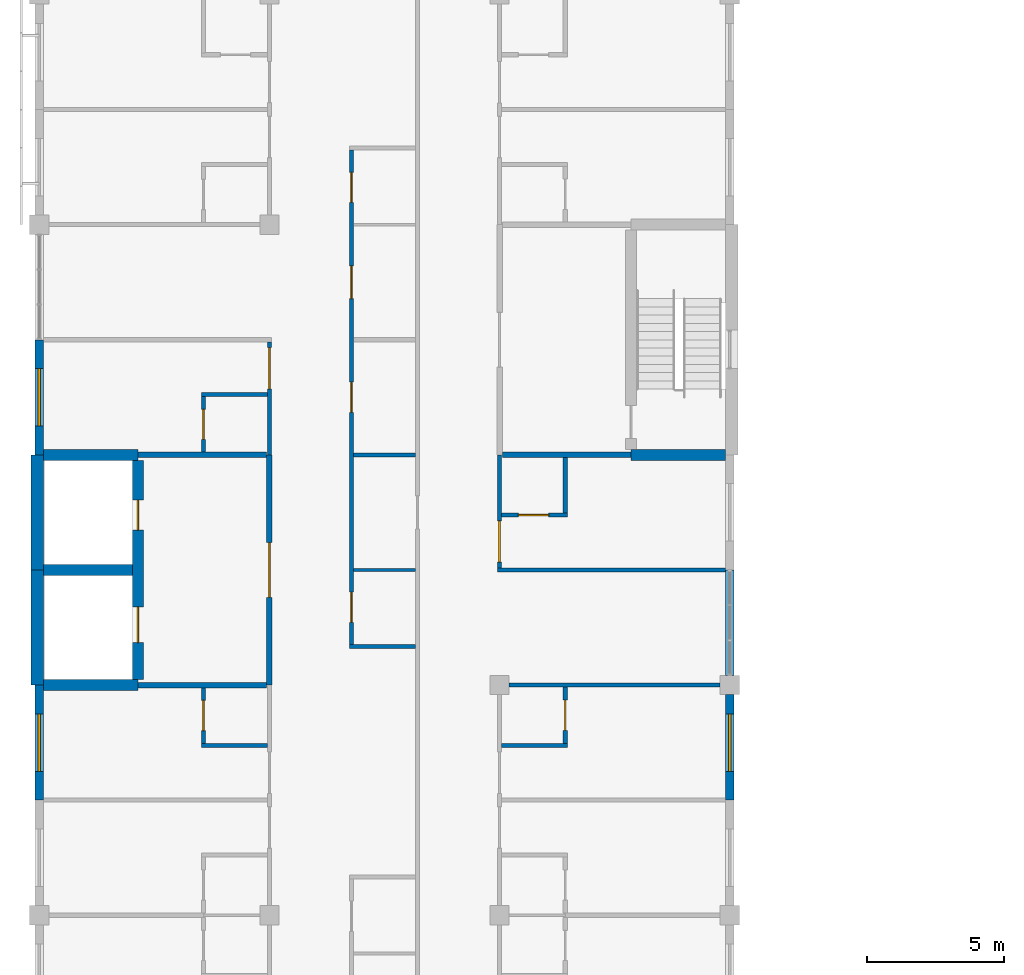
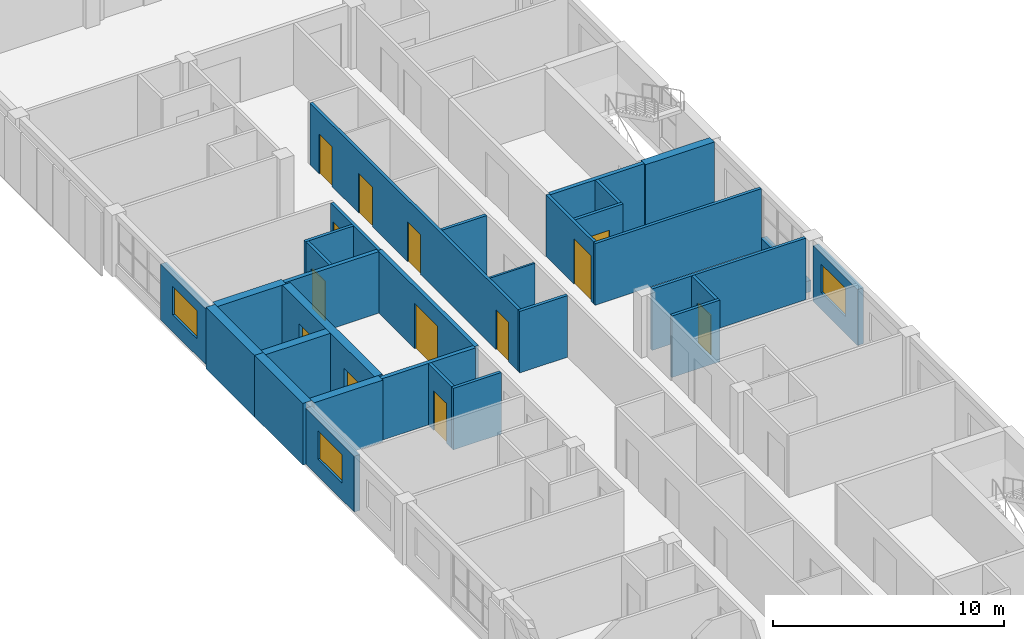
# One storey, part 32 of 46: 31 walls, 13 doors, 3 windows, 16 openings.
"""IFC4 building model written with IfcOpenShell, lengths in metres."""

from ifc_helpers import new_model, si_unit, direction, frame, frame_2d, origin, place, context, subcontext, project, spatial, rectangle, extrude, material, layer, layer_set, type_object, element, fill, save


model = new_model("IFC4")

# Units and contexts
model_context = context("Model", 3, precision=1e-05, world=origin(), true_north=direction((0.0, 1.0)))
body_context = subcontext(model_context, "Body", "Model", "MODEL_VIEW")
ifc_project = project(units=[si_unit("LENGTHUNIT", "METRE"), si_unit("AREAUNIT", "SQUARE_METRE"), si_unit("VOLUMEUNIT", "CUBIC_METRE"), si_unit("PLANEANGLEUNIT", "RADIAN"), si_unit("MASSUNIT", "GRAM", prefix="KILO")], contexts=[model_context])

# Site, building, storey
site_placement = place(None, origin())
site = spatial("IfcSite", under=ifc_project, at=site_placement, CompositionType="ELEMENT")
building_placement = place(site_placement, origin())
building = spatial("IfcBuilding", under=site, at=building_placement, Name="Yavir Park General Hospital", CompositionType="ELEMENT")
storey_placement = place(building_placement, frame((0.0, 0.0, 18.89990234375)))
storey = spatial("IfcBuildingStorey", under=building, at=storey_placement, Name="L04", CompositionType="ELEMENT", Elevation=18.89990234375)

# Walls
ifc_material_1 = material(Name="Double gypsum board fire partition on steel studs", Category="steel")
ifc_layer_1 = layer(ifc_material_1, 0.199951171875)
ifc_layer_set_1 = layer_set([ifc_layer_1], Name="Double gypsum board fire partition on steel studs")
wall_type_1 = type_object("IfcWallType", Name="Fire-rated partition 200, EI 60", PredefinedType="PARTITIONING", material=ifc_layer_set_1)
for number, where, z_axis, x_axis, name in (
    (1, (3.60009765625, 67.199951171875, 0.0), (0.0, 0.0, 1.0), (1.0, 0.0, 0.0), "FP20 L04-096"),
    (2, (3.60009765625, 75.60009765625, 0.0), (0.0, 0.0, 1.0), (1.0, 0.0, 0.0), "FP20 L04-104"),
):
    element("IfcWall", number, at=place(storey_placement, frame(where, z_axis=z_axis, x_axis=x_axis)), inside=storey, type_object=wall_type_1, Name=name, PredefinedType="PARTITIONING", context=body_context, shape_type="SweptSolid", body=[
        extrude(rectangle(XDim=4.699951171875, YDim=0.199951171875, at=frame_2d((2.35009765625, 0.0))), origin(), (0.0, 0.0, 1.0), 3.260009765625),
    ])
wall_1_placement = place(storey_placement, frame((16.89990234375, 75.60009765625, 0.0), z_axis=(0.0, 0.0, 1.0), x_axis=(1.0, 0.0, 0.0)))
element("IfcWall", 3, at=wall_1_placement, inside=storey, type_object=wall_type_1, Name="FP20 L04-106", PredefinedType="PARTITIONING", context=body_context, shape_type="SweptSolid", body=[
    extrude(rectangle(XDim=4.7001953125, YDim=0.199951171875, at=frame_2d((2.35009765625, 0.0))), origin(), (0.0, 0.0, 1.0), 3.260009765625),
])

# Wall, opening, door
wall_2_placement = place(storey_placement, frame((8.39990234375, 67.199951171875, 0.0), z_axis=(0.0, 0.0, 1.0), x_axis=(0.0, 1.0, 0.0)))
wall_2 = element("IfcWall", 4, at=wall_2_placement, inside=storey, type_object=wall_type_1, Name="FP20 L04-170", PredefinedType="PARTITIONING", context=body_context, shape_type="SweptSolid", body=[
    extrude(rectangle(XDim=8.400146484375, YDim=0.199951171875, at=frame_2d((4.2001953125, 0.0))), origin(), (0.0, 0.0, 1.0), 3.260009765625),
])
opening_1_placement = place(wall_2_placement, frame((3.199951171875, 0.0, 0.0)))
opening_1 = element("IfcOpeningElement", 5, at=opening_1_placement, cuts=wall_2, Name="Opening L04.D096", PredefinedType="OPENING", context=body_context, shape_type="SweptSolid", body=[
    extrude(rectangle(XDim=2.0, YDim=2.39990234375, at=frame_2d((1.0, 1.199951171875))), frame((0.0, 0.10986328125, 0.0), z_axis=(0.0, -1.0, 0.0), x_axis=(1.0, 0.0, 0.0)), (0.0, 0.0, 1.0), 0.219970703125),
])
ifc_material_2 = material(Name="Steel frame, fire-resisting leaves with vision panels", Category="steel")
door_type_1 = type_object("IfcDoorType", Name="Double fire door with vision panels 2000 x 2400, EI 60", OperationType="DOUBLE_DOOR_SINGLE_SWING", PredefinedType="DOOR", material=ifc_material_2)
door_1_placement = place(opening_1_placement, origin())
door_1 = element("IfcDoor", 6, at=door_1_placement, inside=storey, type_object=door_type_1, Name="L04.D096", OperationType="SINGLE_SWING_RIGHT", OverallHeight=2.39990234375, OverallWidth=2.0, PredefinedType="DOOR", context=body_context, shape_type="SweptSolid", body=[
    extrude(rectangle(XDim=2.0, YDim=2.39990234375, at=frame_2d((1.0, 1.199951171875))), frame((0.0, 0.030029296875, 0.0), z_axis=(0.0, -1.0, 0.0), x_axis=(1.0, 0.0, 0.0)), (0.0, 0.0, 1.0), 0.06005859375),
])
fill(opening_1, door_1)

# Walls
ifc_material_3 = material(Name="Gypsum board partition on steel studs", Category="steel")
ifc_layer_2 = layer(ifc_material_3, 0.10009765625)
ifc_layer_set_2 = layer_set([ifc_layer_2], Name="Gypsum board partition on steel studs")
wall_type_2 = type_object("IfcWallType", Name="Gypsum board partition 100", PredefinedType="PARTITIONING", material=ifc_layer_set_2)
wall_3_placement = place(storey_placement, frame((11.47509765625, 71.39990234375, 0.0), z_axis=(0.0, 0.0, 1.0), x_axis=(1.0, 0.0, 0.0)))
element("IfcWall", 7, at=wall_3_placement, inside=storey, type_object=wall_type_2, Name="P10 L04-100", PredefinedType="PARTITIONING", context=body_context, shape_type="SweptSolid", body=[
    extrude(rectangle(XDim=2.25, YDim=0.10009765625, at=frame_2d((1.125, 0.0))), origin(), (0.0, 0.0, 1.0), 3.260009765625),
])
ifc_material_4 = material(Name="Gypsum board partition on steel studs", Category="steel")
ifc_layer_3 = layer(ifc_material_4, 0.14990234375)
ifc_layer_set_3 = layer_set([ifc_layer_3], Name="Gypsum board partition on steel studs")
wall_type_3 = type_object("IfcWallType", Name="Gypsum board partition 150", PredefinedType="PARTITIONING", material=ifc_layer_set_3)
for number, where, z_axis, x_axis, name in (
    (8, (5.925048828125, 65.0, 0.0), (0.0, 0.0, 1.0), (1.0, 0.0, 0.0), "P15 L04-093"),
    (9, (16.875, 65.0, 0.0), (0.0, 0.0, 1.0), (1.0, 0.0, 0.0), "P15 L04-094"),
):
    element("IfcWall", number, at=place(storey_placement, frame(where, z_axis=z_axis, x_axis=x_axis)), inside=storey, type_object=wall_type_3, Name=name, PredefinedType="PARTITIONING", context=body_context, shape_type="SweptSolid", body=[
        extrude(rectangle(XDim=2.39990234375, YDim=0.14990234375, at=frame_2d((1.199951171875, 0.0))), origin(), (0.0, 0.0, 1.0), 3.260009765625),
    ])
wall_4_placement = place(storey_placement, frame((17.14990234375, 67.199951171875, 0.0), z_axis=(0.0, 0.0, 1.0), x_axis=(1.0, 0.0, 0.0)))
element("IfcWall", 10, at=wall_4_placement, inside=storey, type_object=wall_type_3, Name="P15 L04-097", PredefinedType="PARTITIONING", context=body_context, shape_type="SweptSolid", body=[
    extrude(rectangle(XDim=7.7001953125, YDim=0.14990234375, at=frame_2d((3.85009765625, 0.0))), origin(), (0.0, 0.0, 1.0), 3.260009765625),
])
wall_5_placement = place(storey_placement, frame((11.324951171875, 68.60009765625, 0.0), z_axis=(0.0, 0.0, 1.0), x_axis=(1.0, 0.0, 0.0)))
element("IfcWall", 11, at=wall_5_placement, inside=storey, type_object=wall_type_3, Name="P15 L04-098", PredefinedType="PARTITIONING", context=body_context, shape_type="SweptSolid", body=[
    extrude(rectangle(XDim=2.400146484375, YDim=0.14990234375, at=frame_2d((1.2001953125, 0.0))), origin(), (0.0, 0.0, 1.0), 3.260009765625),
])
wall_6_placement = place(storey_placement, frame((16.72509765625, 71.39990234375, 0.0), z_axis=(0.0, 0.0, 1.0), x_axis=(1.0, 0.0, 0.0)))
element("IfcWall", 12, at=wall_6_placement, inside=storey, type_object=wall_type_3, Name="P15 L04-101", PredefinedType="PARTITIONING", context=body_context, shape_type="SweptSolid", body=[
    extrude(rectangle(XDim=8.324951171875, YDim=0.14990234375, at=frame_2d((4.16259765625, 0.0))), origin(), (0.0, 0.0, 1.0), 3.260009765625),
])

# Wall, opening, door
wall_7_placement = place(storey_placement, frame((16.875, 73.39990234375, 0.0), z_axis=(0.0, 0.0, 1.0), x_axis=(1.0, 0.0, 0.0)))
wall_7 = element("IfcWall", 13, at=wall_7_placement, inside=storey, type_object=wall_type_3, Name="P15 L04-102", PredefinedType="PARTITIONING", context=body_context, shape_type="SweptSolid", body=[
    extrude(rectangle(XDim=2.39990234375, YDim=0.14990234375, at=frame_2d((1.199951171875, 0.0))), origin(), (0.0, 0.0, 1.0), 3.260009765625),
])
opening_2_placement = place(wall_7_placement, frame((0.612548828125, 0.0, 0.0)))
opening_2 = element("IfcOpeningElement", 14, at=opening_2_placement, cuts=wall_7, Name="Opening L04.D065", PredefinedType="OPENING", context=body_context, shape_type="SweptSolid", body=[
    extrude(rectangle(XDim=1.10009765625, YDim=2.10009765625, at=frame_2d((0.550048828125, 1.050048828125))), frame((0.0, 0.0849609375, 0.0), z_axis=(0.0, -1.0, 0.0), x_axis=(1.0, 0.0, 0.0)), (0.0, 0.0, 1.0), 0.169921875),
])
ifc_material_5 = material(Name="Hollow metal frame, solid-core timber leaf", Category="wood")
door_type_2 = type_object("IfcDoorType", Name="Single swing door 1100 x 2100", OperationType="SINGLE_SWING_LEFT", PredefinedType="DOOR", material=ifc_material_5)
door_2_placement = place(opening_2_placement, origin())
door_2 = element("IfcDoor", 15, at=door_2_placement, inside=storey, type_object=door_type_2, Name="L04.D065", OperationType="SINGLE_SWING_LEFT", OverallHeight=2.10009765625, OverallWidth=1.10009765625, PredefinedType="DOOR", context=body_context, shape_type="SweptSolid", body=[
    extrude(rectangle(XDim=1.10009765625, YDim=2.10009765625, at=frame_2d((0.550048828125, 1.050048828125))), frame((0.0, 0.02490234375, 0.0), z_axis=(0.0, -1.0, 0.0), x_axis=(1.0, 0.0, 0.0)), (0.0, 0.0, 1.0), 0.050048828125),
])
fill(opening_2, door_2)

# Walls
wall_8_placement = place(storey_placement, frame((11.47509765625, 75.60009765625, 0.0), z_axis=(0.0, 0.0, 1.0), x_axis=(1.0, 0.0, 0.0)))
element("IfcWall", 16, at=wall_8_placement, inside=storey, type_object=wall_type_3, Name="P15 L04-105", PredefinedType="PARTITIONING", context=body_context, shape_type="SweptSolid", body=[
    extrude(rectangle(XDim=2.25, YDim=0.14990234375, at=frame_2d((1.125, 0.0))), origin(), (0.0, 0.0, 1.0), 3.260009765625),
])
wall_9_placement = place(storey_placement, frame((5.925048828125, 77.800048828125, 0.0), z_axis=(0.0, 0.0, 1.0), x_axis=(1.0, 0.0, 0.0)))
element("IfcWall", 17, at=wall_9_placement, inside=storey, type_object=wall_type_3, Name="P15 L04-108", PredefinedType="PARTITIONING", context=body_context, shape_type="SweptSolid", body=[
    extrude(rectangle(XDim=2.39990234375, YDim=0.14990234375, at=frame_2d((1.199951171875, 0.0))), origin(), (0.0, 0.0, 1.0), 3.260009765625),
])

# Wall, opening, door
wall_10_placement = place(storey_placement, frame((6.0, 65.074951171875, 0.0), z_axis=(0.0, 0.0, 1.0), x_axis=(0.0, 1.0, 0.0)))
wall_10 = element("IfcWall", 18, at=wall_10_placement, inside=storey, type_object=wall_type_3, Name="P15 L04-153", PredefinedType="PARTITIONING", context=body_context, shape_type="SweptSolid", body=[
    extrude(rectangle(XDim=2.025146484375, YDim=0.14990234375, at=frame_2d((1.0126953125, 0.0))), origin(), (0.0, 0.0, 1.0), 3.260009765625),
])
opening_3_placement = place(wall_10_placement, frame((0.46240234375, 0.0, 0.0)))
opening_3 = element("IfcOpeningElement", 19, at=opening_3_placement, cuts=wall_10, Name="Opening L04.D082", PredefinedType="OPENING", context=body_context, shape_type="SweptSolid", body=[
    extrude(rectangle(XDim=1.10009765625, YDim=2.10009765625, at=frame_2d((0.550048828125, 1.050048828125))), frame((0.0, 0.0849609375, 0.0), z_axis=(0.0, -1.0, 0.0), x_axis=(1.0, 0.0, 0.0)), (0.0, 0.0, 1.0), 0.169921875),
])
door_3_placement = place(opening_3_placement, origin())
door_3 = element("IfcDoor", 20, at=door_3_placement, inside=storey, type_object=door_type_2, Name="L04.D082", OperationType="SINGLE_SWING_LEFT", OverallHeight=2.10009765625, OverallWidth=1.10009765625, PredefinedType="DOOR", context=body_context, shape_type="SweptSolid", body=[
    extrude(rectangle(XDim=1.10009765625, YDim=2.10009765625, at=frame_2d((0.550048828125, 1.050048828125))), frame((0.0, 0.02490234375, 0.0), z_axis=(0.0, -1.0, 0.0), x_axis=(1.0, 0.0, 0.0)), (0.0, 0.0, 1.0), 0.050048828125),
])
fill(opening_3, door_3)

wall_11_placement = place(storey_placement, frame((6.0, 75.699951171875, 0.0), z_axis=(0.0, 0.0, 1.0), x_axis=(0.0, 1.0, 0.0)))
wall_11 = element("IfcWall", 21, at=wall_11_placement, inside=storey, type_object=wall_type_3, Name="P15 L04-154", PredefinedType="PARTITIONING", context=body_context, shape_type="SweptSolid", body=[
    extrude(rectangle(XDim=2.025146484375, YDim=0.14990234375, at=frame_2d((1.0126953125, 0.0))), origin(), (0.0, 0.0, 1.0), 3.260009765625),
])
opening_4_placement = place(wall_11_placement, frame((0.46240234375, 0.0, 0.0)))
opening_4 = element("IfcOpeningElement", 22, at=opening_4_placement, cuts=wall_11, Name="Opening L04.D083", PredefinedType="OPENING", context=body_context, shape_type="SweptSolid", body=[
    extrude(rectangle(XDim=1.10009765625, YDim=2.10009765625, at=frame_2d((0.550048828125, 1.050048828125))), frame((0.0, 0.0849609375, 0.0), z_axis=(0.0, -1.0, 0.0), x_axis=(1.0, 0.0, 0.0)), (0.0, 0.0, 1.0), 0.169921875),
])
door_4_placement = place(opening_4_placement, origin())
door_4 = element("IfcDoor", 23, at=door_4_placement, inside=storey, type_object=door_type_2, Name="L04.D083", OperationType="SINGLE_SWING_RIGHT", OverallHeight=2.10009765625, OverallWidth=1.10009765625, PredefinedType="DOOR", context=body_context, shape_type="SweptSolid", body=[
    extrude(rectangle(XDim=1.10009765625, YDim=2.10009765625, at=frame_2d((0.550048828125, 1.050048828125))), frame((0.0, 0.02490234375, 0.0), z_axis=(0.0, -1.0, 0.0), x_axis=(1.0, 0.0, 0.0)), (0.0, 0.0, 1.0), 0.050048828125),
])
fill(opening_4, door_4)

wall_12_placement = place(storey_placement, frame((8.39990234375, 75.60009765625, 0.0), z_axis=(0.0, 0.0, 1.0), x_axis=(0.0, 1.0, 0.0)))
wall_12 = element("IfcWall", 24, at=wall_12_placement, inside=storey, type_object=wall_type_3, Name="P15 L04-171", PredefinedType="PARTITIONING", context=body_context, shape_type="SweptSolid", body=[
    extrude(rectangle(XDim=4.125, YDim=0.14990234375, at=frame_2d((2.0625, 0.0))), origin(), (0.0, 0.0, 1.0), 3.260009765625),
])
opening_5_placement = place(wall_12_placement, frame((2.41259765625, 0.0, 0.0)))
opening_5 = element("IfcOpeningElement", 25, at=opening_5_placement, cuts=wall_12, Name="Opening L04.D097", PredefinedType="OPENING", context=body_context, shape_type="SweptSolid", body=[
    extrude(rectangle(XDim=1.5, YDim=2.39990234375, at=frame_2d((0.75, 1.199951171875))), frame((0.0, 0.0849609375, 0.0), z_axis=(0.0, -1.0, 0.0), x_axis=(1.0, 0.0, 0.0)), (0.0, 0.0, 1.0), 0.169921875),
])
ifc_material_6 = material(Name="Solid-core timber leaves, push plates, kick plates", Category="wood")
door_type_3 = type_object("IfcDoorType", Name="Bed door, unequal leaves 1500 x 2400", OperationType="DOUBLE_DOOR_SINGLE_SWING", PredefinedType="DOOR", material=ifc_material_6)
door_5_placement = place(opening_5_placement, origin())
door_5 = element("IfcDoor", 26, at=door_5_placement, inside=storey, type_object=door_type_3, Name="L04.D097", OperationType="SINGLE_SWING_RIGHT", OverallHeight=2.39990234375, OverallWidth=1.5, PredefinedType="DOOR", context=body_context, shape_type="SweptSolid", body=[
    extrude(rectangle(XDim=1.5, YDim=2.39990234375, at=frame_2d((0.75, 1.199951171875))), frame((0.0, 0.030029296875, 0.0), z_axis=(0.0, -1.0, 0.0), x_axis=(1.0, 0.0, 0.0)), (0.0, 0.0, 1.0), 0.06005859375),
])
fill(opening_5, door_5)

# Wall, openings, doors
wall_13_placement = place(storey_placement, frame((11.39990234375, 68.675048828125, 0.0), z_axis=(0.0, 0.0, 1.0), x_axis=(0.0, 1.0, 0.0)))
wall_13 = element("IfcWall", 27, at=wall_13_placement, inside=storey, type_object=wall_type_3, Name="P15 L04-178", PredefinedType="PARTITIONING", context=body_context, shape_type="SweptSolid", body=[
    extrude(rectangle(XDim=18.050048828125, YDim=0.14990234375, at=frame_2d((9.02490234375, 0.0))), origin(), (0.0, 0.0, 1.0), 3.260009765625),
])
opening_6_placement = place(wall_13_placement, frame((0.8125, 0.0, 0.0)))
opening_6 = element("IfcOpeningElement", 28, at=opening_6_placement, cuts=wall_13, Name="Opening L04.D108", PredefinedType="OPENING", context=body_context, shape_type="SweptSolid", body=[
    extrude(rectangle(XDim=1.10009765625, YDim=2.10009765625, at=frame_2d((0.550048828125, 1.050048828125))), frame((0.0, 0.0849609375, 0.0), z_axis=(0.0, -1.0, 0.0), x_axis=(1.0, 0.0, 0.0)), (0.0, 0.0, 1.0), 0.169921875),
])
opening_7_placement = place(wall_13_placement, frame((8.47509765625, 0.0, 0.0)))
opening_7 = element("IfcOpeningElement", 29, at=opening_7_placement, cuts=wall_13, Name="Opening L04.D109", PredefinedType="OPENING", context=body_context, shape_type="SweptSolid", body=[
    extrude(rectangle(XDim=1.10009765625, YDim=2.10009765625, at=frame_2d((0.550048828125, 1.050048828125))), frame((0.0, 0.0849609375, 0.0), z_axis=(0.0, -1.0, 0.0), x_axis=(1.0, 0.0, 0.0)), (0.0, 0.0, 1.0), 0.169921875),
])
opening_8_placement = place(wall_13_placement, frame((12.625, 0.0, 0.0)))
opening_8 = element("IfcOpeningElement", 30, at=opening_8_placement, cuts=wall_13, Name="Opening L04.D110", PredefinedType="OPENING", context=body_context, shape_type="SweptSolid", body=[
    extrude(rectangle(XDim=1.199951171875, YDim=2.10009765625, at=frame_2d((0.60009765625, 1.050048828125))), frame((0.0, 0.0849609375, 0.0), z_axis=(0.0, -1.0, 0.0), x_axis=(1.0, 0.0, 0.0)), (0.0, 0.0, 1.0), 0.169921875),
])
opening_9_placement = place(wall_13_placement, frame((16.137451171875, 0.0, 0.0)))
opening_9 = element("IfcOpeningElement", 31, at=opening_9_placement, cuts=wall_13, Name="Opening L04.D111", PredefinedType="OPENING", context=body_context, shape_type="SweptSolid", body=[
    extrude(rectangle(XDim=1.10009765625, YDim=2.10009765625, at=frame_2d((0.550048828125, 1.050048828125))), frame((0.0, 0.0849609375, 0.0), z_axis=(0.0, -1.0, 0.0), x_axis=(1.0, 0.0, 0.0)), (0.0, 0.0, 1.0), 0.169921875),
])
door_6_placement = place(opening_6_placement, origin())
door_6 = element("IfcDoor", 32, at=door_6_placement, inside=storey, type_object=door_type_2, Name="L04.D108", OperationType="SINGLE_SWING_RIGHT", OverallHeight=2.10009765625, OverallWidth=1.10009765625, PredefinedType="DOOR", context=body_context, shape_type="SweptSolid", body=[
    extrude(rectangle(XDim=1.10009765625, YDim=2.10009765625, at=frame_2d((0.550048828125, 1.050048828125))), frame((0.0, 0.02490234375, 0.0), z_axis=(0.0, -1.0, 0.0), x_axis=(1.0, 0.0, 0.0)), (0.0, 0.0, 1.0), 0.050048828125),
])
fill(opening_6, door_6)
door_7_placement = place(opening_7_placement, origin())
door_7 = element("IfcDoor", 33, at=door_7_placement, inside=storey, type_object=door_type_2, Name="L04.D109", OperationType="SINGLE_SWING_LEFT", OverallHeight=2.10009765625, OverallWidth=1.10009765625, PredefinedType="DOOR", context=body_context, shape_type="SweptSolid", body=[
    extrude(rectangle(XDim=1.10009765625, YDim=2.10009765625, at=frame_2d((0.550048828125, 1.050048828125))), frame((0.0, 0.02490234375, 0.0), z_axis=(0.0, -1.0, 0.0), x_axis=(1.0, 0.0, 0.0)), (0.0, 0.0, 1.0), 0.050048828125),
])
fill(opening_7, door_7)
door_8_placement = place(opening_9_placement, origin())
door_8 = element("IfcDoor", 34, at=door_8_placement, inside=storey, type_object=door_type_2, Name="L04.D111", OperationType="SINGLE_SWING_RIGHT", OverallHeight=2.10009765625, OverallWidth=1.10009765625, PredefinedType="DOOR", context=body_context, shape_type="SweptSolid", body=[
    extrude(rectangle(XDim=1.10009765625, YDim=2.10009765625, at=frame_2d((0.550048828125, 1.050048828125))), frame((0.0, 0.02490234375, 0.0), z_axis=(0.0, -1.0, 0.0), x_axis=(1.0, 0.0, 0.0)), (0.0, 0.0, 1.0), 0.050048828125),
])
fill(opening_9, door_8)
ifc_material_7 = material(Name="Hollow metal frame, solid-core timber leaf", Category="wood")
door_type_4 = type_object("IfcDoorType", Name="Single swing door 1200 x 2100", OperationType="SINGLE_SWING_LEFT", PredefinedType="DOOR", material=ifc_material_7)
door_9_placement = place(opening_8_placement, origin())
door_9 = element("IfcDoor", 35, at=door_9_placement, inside=storey, type_object=door_type_4, Name="L04.D110", OperationType="SINGLE_SWING_LEFT", OverallHeight=2.10009765625, OverallWidth=1.199951171875, PredefinedType="DOOR", context=body_context, shape_type="SweptSolid", body=[
    extrude(rectangle(XDim=1.199951171875, YDim=2.10009765625, at=frame_2d((0.60009765625, 1.050048828125))), frame((0.0, 0.02490234375, 0.0), z_axis=(0.0, -1.0, 0.0), x_axis=(1.0, 0.0, 0.0)), (0.0, 0.0, 1.0), 0.050048828125),
])
fill(opening_8, door_9)

# Wall, opening, door
wall_14_placement = place(storey_placement, frame((16.800048828125, 71.47509765625, 0.0), z_axis=(0.0, 0.0, 1.0), x_axis=(0.0, 1.0, 0.0)))
wall_14 = element("IfcWall", 36, at=wall_14_placement, inside=storey, type_object=wall_type_3, Name="P15 L04-193", PredefinedType="PARTITIONING", context=body_context, shape_type="SweptSolid", body=[
    extrude(rectangle(XDim=4.125, YDim=0.14990234375, at=frame_2d((2.0625, 0.0))), origin(), (0.0, 0.0, 1.0), 3.260009765625),
])
opening_10_placement = place(wall_14_placement, frame((0.21240234375, 0.0, 0.0)))
opening_10 = element("IfcOpeningElement", 37, at=opening_10_placement, cuts=wall_14, Name="Opening L04.D121", PredefinedType="OPENING", context=body_context, shape_type="SweptSolid", body=[
    extrude(rectangle(XDim=1.5, YDim=2.39990234375, at=frame_2d((0.75, 1.199951171875))), frame((0.0, 0.0849609375, 0.0), z_axis=(0.0, -1.0, 0.0), x_axis=(1.0, 0.0, 0.0)), (0.0, 0.0, 1.0), 0.169921875),
])
door_10_placement = place(opening_10_placement, origin())
door_10 = element("IfcDoor", 38, at=door_10_placement, inside=storey, type_object=door_type_3, Name="L04.D121", OperationType="SINGLE_SWING_RIGHT", OverallHeight=2.39990234375, OverallWidth=1.5, PredefinedType="DOOR", context=body_context, shape_type="SweptSolid", body=[
    extrude(rectangle(XDim=1.5, YDim=2.39990234375, at=frame_2d((0.75, 1.199951171875))), frame((0.0, 0.030029296875, 0.0), z_axis=(0.0, -1.0, 0.0), x_axis=(1.0, 0.0, 0.0)), (0.0, 0.0, 1.0), 0.06005859375),
])
fill(opening_10, door_10)

wall_15_placement = place(storey_placement, frame((19.199951171875, 65.074951171875, 0.0), z_axis=(0.0, 0.0, 1.0), x_axis=(0.0, 1.0, 0.0)))
wall_15 = element("IfcWall", 39, at=wall_15_placement, inside=storey, type_object=wall_type_3, Name="P15 L04-202", PredefinedType="PARTITIONING", context=body_context, shape_type="SweptSolid", body=[
    extrude(rectangle(XDim=2.050048828125, YDim=0.14990234375, at=frame_2d((1.02490234375, 0.0))), origin(), (0.0, 0.0, 1.0), 3.260009765625),
])
opening_11_placement = place(wall_15_placement, frame((0.47509765625, 0.0, 0.0)))
opening_11 = element("IfcOpeningElement", 40, at=opening_11_placement, cuts=wall_15, Name="Opening L04.D133", PredefinedType="OPENING", context=body_context, shape_type="SweptSolid", body=[
    extrude(rectangle(XDim=1.10009765625, YDim=2.10009765625, at=frame_2d((0.550048828125, 1.050048828125))), frame((0.0, 0.0849609375, 0.0), z_axis=(0.0, -1.0, 0.0), x_axis=(1.0, 0.0, 0.0)), (0.0, 0.0, 1.0), 0.169921875),
])
door_11_placement = place(opening_11_placement, origin())
door_11 = element("IfcDoor", 41, at=door_11_placement, inside=storey, type_object=door_type_2, Name="L04.D133", OperationType="SINGLE_SWING_RIGHT", OverallHeight=2.10009765625, OverallWidth=1.10009765625, PredefinedType="DOOR", context=body_context, shape_type="SweptSolid", body=[
    extrude(rectangle(XDim=1.10009765625, YDim=2.10009765625, at=frame_2d((0.550048828125, 1.050048828125))), frame((0.0, 0.02490234375, 0.0), z_axis=(0.0, -1.0, 0.0), x_axis=(1.0, 0.0, 0.0)), (0.0, 0.0, 1.0), 0.050048828125),
])
fill(opening_11, door_11)

# Wall
wall_16_placement = place(storey_placement, frame((19.199951171875, 73.47509765625, 0.0), z_axis=(0.0, 0.0, 1.0), x_axis=(0.0, 1.0, 0.0)))
element("IfcWall", 42, at=wall_16_placement, inside=storey, type_object=wall_type_3, Name="P15 L04-203", PredefinedType="PARTITIONING", context=body_context, shape_type="SweptSolid", body=[
    extrude(rectangle(XDim=2.02490234375, YDim=0.14990234375, at=frame_2d((1.012451171875, 0.0))), origin(), (0.0, 0.0, 1.0), 3.260009765625),
])

# Wall, opening, window
ifc_material_8 = material(Name="Autoclaved aerated block, mineral wool and ochre mineral render")
ifc_layer_4 = layer(ifc_material_8, 0.300048828125)
ifc_layer_set_4 = layer_set([ifc_layer_4], Name="Autoclaved aerated block, mineral wool and ochre mineral render")
wall_type_4 = type_object("IfcWallType", Name="Ochre render ward wall 300, E 30", PredefinedType="SOLIDWALL", material=ifc_layer_set_4)
wall_17_placement = place(storey_placement, frame((0.0, 63.0, 0.0), z_axis=(0.0, 0.0, 1.0), x_axis=(0.0, 1.0, 0.0)))
wall_17 = element("IfcWall", 43, at=wall_17_placement, inside=storey, type_object=wall_type_4, Name="XW7 L04-088", PredefinedType="SOLIDWALL", context=body_context, shape_type="SweptSolid", body=[
    extrude(rectangle(XDim=4.199951171875, YDim=0.300048828125, at=frame_2d((2.10009765625, 0.0))), origin(), (0.0, 0.0, 1.0), 2.960205078125),
])
opening_12_placement = place(wall_17_placement, frame((1.050048828125, 0.0, 0.89990234375)))
opening_12 = element("IfcOpeningElement", 44, at=opening_12_placement, cuts=wall_17, Name="Opening WAR", PredefinedType="OPENING", context=body_context, shape_type="SweptSolid", body=[
    extrude(rectangle(XDim=2.10009765625, YDim=1.5, at=frame_2d((1.050048828125, 0.75))), frame((0.0, 0.159912109375, 0.0), z_axis=(0.0, -1.0, 0.0), x_axis=(1.0, 0.0, 0.0)), (0.0, 0.0, 1.0), 0.320068359375),
])
ifc_material_9 = material(Name="Aluminium frame, tilt-and-turn sash with opening restrictor, double glazed unit", Category="aluminium")
window_type = type_object("IfcWindowType", Name="Ward window, restricted opening 2100 x 1500", PartitioningType="DOUBLE_PANEL_VERTICAL", PredefinedType="WINDOW", material=ifc_material_9)
window_1_placement = place(opening_12_placement, origin())
window_1 = element("IfcWindow", 45, at=window_1_placement, inside=storey, type_object=window_type, Name="WAR L04-032", OverallHeight=1.5, OverallWidth=2.10009765625, PartitioningType="DOUBLE_PANEL_VERTICAL", PredefinedType="WINDOW", context=body_context, shape_type="SweptSolid", body=[
    extrude(rectangle(XDim=2.10009765625, YDim=1.5, at=frame_2d((1.050048828125, 0.75))), frame((0.0, 0.050048828125, 0.0), z_axis=(0.0, -1.0, 0.0), x_axis=(1.0, 0.0, 0.0)), (0.0, 0.0, 1.0), 0.10009765625),
])
fill(opening_12, window_1)

wall_18_placement = place(storey_placement, frame((0.0, 75.60009765625, 0.0), z_axis=(0.0, 0.0, 1.0), x_axis=(0.0, 1.0, 0.0)))
wall_18 = element("IfcWall", 46, at=wall_18_placement, inside=storey, type_object=wall_type_4, Name="XW7 L04-091", PredefinedType="SOLIDWALL", context=body_context, shape_type="SweptSolid", body=[
    extrude(rectangle(XDim=4.199951171875, YDim=0.300048828125, at=frame_2d((2.10009765625, 0.0))), origin(), (0.0, 0.0, 1.0), 2.960205078125),
])
opening_13_placement = place(wall_18_placement, frame((1.050048828125, 0.0, 0.89990234375)))
opening_13 = element("IfcOpeningElement", 47, at=opening_13_placement, cuts=wall_18, Name="Opening WAR", PredefinedType="OPENING", context=body_context, shape_type="SweptSolid", body=[
    extrude(rectangle(XDim=2.10009765625, YDim=1.5, at=frame_2d((1.050048828125, 0.75))), frame((0.0, 0.159912109375, 0.0), z_axis=(0.0, -1.0, 0.0), x_axis=(1.0, 0.0, 0.0)), (0.0, 0.0, 1.0), 0.320068359375),
])
window_2_placement = place(opening_13_placement, origin())
window_2 = element("IfcWindow", 48, at=window_2_placement, inside=storey, type_object=window_type, Name="WAR L04-033", OverallHeight=1.5, OverallWidth=2.10009765625, PartitioningType="DOUBLE_PANEL_VERTICAL", PredefinedType="WINDOW", context=body_context, shape_type="SweptSolid", body=[
    extrude(rectangle(XDim=2.10009765625, YDim=1.5, at=frame_2d((1.050048828125, 0.75))), frame((0.0, 0.050048828125, 0.0), z_axis=(0.0, -1.0, 0.0), x_axis=(1.0, 0.0, 0.0)), (0.0, 0.0, 1.0), 0.10009765625),
])
fill(opening_13, window_2)

wall_19_placement = place(storey_placement, frame((25.199951171875, 63.0, 0.0), z_axis=(0.0, 0.0, 1.0), x_axis=(0.0, 1.0, 0.0)))
wall_19 = element("IfcWall", 49, at=wall_19_placement, inside=storey, type_object=wall_type_4, Name="XW7 L04-113", PredefinedType="SOLIDWALL", context=body_context, shape_type="SweptSolid", body=[
    extrude(rectangle(XDim=3.85009765625, YDim=0.300048828125, at=frame_2d((1.925048828125, 0.0))), origin(), (0.0, 0.0, 1.0), 2.960205078125),
])
opening_14_placement = place(wall_19_placement, frame((1.050048828125, 0.0, 0.89990234375)))
opening_14 = element("IfcOpeningElement", 50, at=opening_14_placement, cuts=wall_19, Name="Opening WAR", PredefinedType="OPENING", context=body_context, shape_type="SweptSolid", body=[
    extrude(rectangle(XDim=2.10009765625, YDim=1.5, at=frame_2d((1.050048828125, 0.75))), frame((0.0, 0.159912109375, 0.0), z_axis=(0.0, -1.0, 0.0), x_axis=(1.0, 0.0, 0.0)), (0.0, 0.0, 1.0), 0.320068359375),
])
window_3_placement = place(opening_14_placement, origin())
window_3 = element("IfcWindow", 51, at=window_3_placement, inside=storey, type_object=window_type, Name="WAR L04-045", OverallHeight=1.5, OverallWidth=2.10009765625, PartitioningType="DOUBLE_PANEL_VERTICAL", PredefinedType="WINDOW", context=body_context, shape_type="SweptSolid", body=[
    extrude(rectangle(XDim=2.10009765625, YDim=1.5, at=frame_2d((1.050048828125, 0.75))), frame((0.0, 0.050048828125, 0.0), z_axis=(0.0, -1.0, 0.0), x_axis=(1.0, 0.0, 0.0)), (0.0, 0.0, 1.0), 0.10009765625),
])
fill(opening_14, window_3)

# Walls
wall_20_placement = place(storey_placement, frame((25.199951171875, 67.550048828125, 0.0), z_axis=(0.0, 0.0, 1.0), x_axis=(0.0, 1.0, 0.0)))
element("IfcWall", 52, at=wall_20_placement, inside=storey, type_object=wall_type_4, Name="XW7 L04-114", PredefinedType="SOLIDWALL", context=body_context, shape_type="SweptSolid", body=[
    extrude(rectangle(XDim=3.849853515625, YDim=0.300048828125, at=frame_2d((1.9248046875, 0.0))), origin(), (0.0, 0.0, 1.0), 0.60009765625),
])
ifc_material_10 = material(Name="Concrete C35/45", Category="concrete")
ifc_layer_5 = layer(ifc_material_10, 0.39990234375)
ifc_layer_set_5 = layer_set([ifc_layer_5], Name="Concrete C35/45")
wall_type_5 = type_object("IfcWallType", Name="Reinforced concrete core wall 400, REI 150", PredefinedType="SHEAR", material=ifc_layer_set_5)
wall_21_placement = place(storey_placement, frame((0.14990234375, 67.199951171875, 0.0), z_axis=(0.0, 0.0, 1.0), x_axis=(1.0, 0.0, 0.0)))
element("IfcWall", 53, at=wall_21_placement, inside=storey, type_object=wall_type_5, Name="CW40 L04-095", PredefinedType="SHEAR", context=body_context, shape_type="SweptSolid", body=[
    extrude(rectangle(XDim=3.4501953125, YDim=0.39990234375, at=frame_2d((1.72509765625, 0.0))), origin(), (0.0, 0.0, 1.0), 3.260009765625),
])
wall_22_placement = place(storey_placement, frame((0.14990234375, 71.39990234375, 0.0), z_axis=(0.0, 0.0, 1.0), x_axis=(1.0, 0.0, 0.0)))
element("IfcWall", 54, at=wall_22_placement, inside=storey, type_object=wall_type_5, Name="CW40 L04-099", PredefinedType="SHEAR", context=body_context, shape_type="SweptSolid", body=[
    extrude(rectangle(XDim=3.25, YDim=0.39990234375, at=frame_2d((1.625, 0.0))), origin(), (0.0, 0.0, 1.0), 3.260009765625),
])
wall_23_placement = place(storey_placement, frame((0.14990234375, 75.60009765625, 0.0), z_axis=(0.0, 0.0, 1.0), x_axis=(1.0, 0.0, 0.0)))
element("IfcWall", 55, at=wall_23_placement, inside=storey, type_object=wall_type_5, Name="CW40 L04-103", PredefinedType="SHEAR", context=body_context, shape_type="SweptSolid", body=[
    extrude(rectangle(XDim=3.4501953125, YDim=0.39990234375, at=frame_2d((1.72509765625, 0.0))), origin(), (0.0, 0.0, 1.0), 3.260009765625),
])
wall_24_placement = place(storey_placement, frame((21.60009765625, 75.60009765625, 0.0), z_axis=(0.0, 0.0, 1.0), x_axis=(1.0, 0.0, 0.0)))
element("IfcWall", 56, at=wall_24_placement, inside=storey, type_object=wall_type_5, Name="CW40 L04-107", PredefinedType="SHEAR", context=body_context, shape_type="SweptSolid", body=[
    extrude(rectangle(XDim=3.449951171875, YDim=0.39990234375, at=frame_2d((1.72509765625, 0.0))), origin(), (0.0, 0.0, 1.0), 3.260009765625),
])

# Wall, openings, doors
wall_25_placement = place(storey_placement, frame((3.60009765625, 67.39990234375, 0.0), z_axis=(0.0, 0.0, 1.0), x_axis=(0.0, 1.0, 0.0)))
wall_25 = element("IfcWall", 57, at=wall_25_placement, inside=storey, type_object=wall_type_5, Name="CW40 L04-145", PredefinedType="SHEAR", context=body_context, shape_type="SweptSolid", body=[
    extrude(rectangle(XDim=8.0, YDim=0.39990234375, at=frame_2d((4.0, 0.0))), origin(), (0.0, 0.0, 1.0), 3.260009765625),
])
opening_15_placement = place(wall_25_placement, frame((1.35009765625, 0.0, 0.0)))
opening_15 = element("IfcOpeningElement", 58, at=opening_15_placement, cuts=wall_25, Name="Opening L04.D074", PredefinedType="OPENING", context=body_context, shape_type="SweptSolid", body=[
    extrude(rectangle(XDim=1.300048828125, YDim=2.10009765625, at=frame_2d((0.64990234375, 1.050048828125))), frame((0.0, 0.2099609375, 0.0), z_axis=(0.0, -1.0, 0.0), x_axis=(1.0, 0.0, 0.0)), (0.0, 0.0, 1.0), 0.419921875),
])
opening_16_placement = place(wall_25_placement, frame((5.449951171875, 0.0, 0.0)))
opening_16 = element("IfcOpeningElement", 59, at=opening_16_placement, cuts=wall_25, Name="Opening L04.D075", PredefinedType="OPENING", context=body_context, shape_type="SweptSolid", body=[
    extrude(rectangle(XDim=1.10009765625, YDim=2.10009765625, at=frame_2d((0.550048828125, 1.050048828125))), frame((0.0, 0.2099609375, 0.0), z_axis=(0.0, -1.0, 0.0), x_axis=(1.0, 0.0, 0.0)), (0.0, 0.0, 1.0), 0.419921875),
])
ifc_material_11 = material(Name="Stainless steel landing door panels", Category="steel")
door_type_5 = type_object("IfcDoorType", Name="Lift landing door 1100 x 2100, EI 60", OperationType="SLIDING_TO_LEFT", PredefinedType="DOOR", material=ifc_material_11)
door_12_placement = place(opening_16_placement, origin())
door_12 = element("IfcDoor", 60, at=door_12_placement, inside=storey, type_object=door_type_5, Name="L04.D075", OperationType="SLIDING_TO_LEFT", OverallHeight=2.10009765625, OverallWidth=1.10009765625, PredefinedType="DOOR", context=body_context, shape_type="SweptSolid", body=[
    extrude(rectangle(XDim=1.10009765625, YDim=2.10009765625, at=frame_2d((0.550048828125, 1.050048828125))), frame((0.0, 0.02490234375, 0.0), z_axis=(0.0, -1.0, 0.0), x_axis=(1.0, 0.0, 0.0)), (0.0, 0.0, 1.0), 0.050048828125),
])
fill(opening_16, door_12)
ifc_material_12 = material(Name="Stainless steel landing door panels", Category="steel")
door_type_6 = type_object("IfcDoorType", Name="Lift landing door 1300 x 2100, EI 60", OperationType="SLIDING_TO_LEFT", PredefinedType="DOOR", material=ifc_material_12)
door_13_placement = place(opening_15_placement, origin())
door_13 = element("IfcDoor", 61, at=door_13_placement, inside=storey, type_object=door_type_6, Name="L04.D074", OperationType="SLIDING_TO_LEFT", OverallHeight=2.10009765625, OverallWidth=1.300048828125, PredefinedType="DOOR", context=body_context, shape_type="SweptSolid", body=[
    extrude(rectangle(XDim=1.300048828125, YDim=2.10009765625, at=frame_2d((0.64990234375, 1.050048828125))), frame((0.0, 0.02490234375, 0.0), z_axis=(0.0, -1.0, 0.0), x_axis=(1.0, 0.0, 0.0)), (0.0, 0.0, 1.0), 0.050048828125),
])
fill(opening_15, door_13)

# Walls
ifc_material_13 = material(Name="Concrete C30/37 precast panel with 150 mm mineral wool insulation", Category="concrete")
ifc_layer_6 = layer(ifc_material_13, 0.449951171875)
ifc_layer_set_6 = layer_set([ifc_layer_6], Name="Concrete C30/37 precast panel with 150 mm mineral wool insulation")
wall_type_6 = type_object("IfcWallType", Name="Stair enclosure wall 450, REI 150", PredefinedType="SOLIDWALL", material=ifc_layer_set_6)
wall_26_placement = place(storey_placement, frame((-0.074951171875, 67.199951171875, 0.0), z_axis=(0.0, 0.0, 1.0), x_axis=(0.0, 1.0, 0.0)))
element("IfcWall", 62, at=wall_26_placement, inside=storey, type_object=wall_type_6, Name="XW6 L04-089", PredefinedType="SOLIDWALL", context=body_context, shape_type="SweptSolid", body=[
    extrude(rectangle(XDim=4.199951171875, YDim=0.449951171875, at=frame_2d((2.10009765625, 0.0))), origin(), (0.0, 0.0, 1.0), 3.260009765625),
])
wall_27_placement = place(storey_placement, frame((-0.074951171875, 71.39990234375, 0.0), z_axis=(0.0, 0.0, 1.0), x_axis=(0.0, 1.0, 0.0)))
element("IfcWall", 63, at=wall_27_placement, inside=storey, type_object=wall_type_6, Name="XW6 L04-090", PredefinedType="SOLIDWALL", context=body_context, shape_type="SweptSolid", body=[
    extrude(rectangle(XDim=4.2001953125, YDim=0.449951171875, at=frame_2d((2.10009765625, 0.0))), origin(), (0.0, 0.0, 1.0), 3.260009765625),
])

save(model, "model.ifc")
